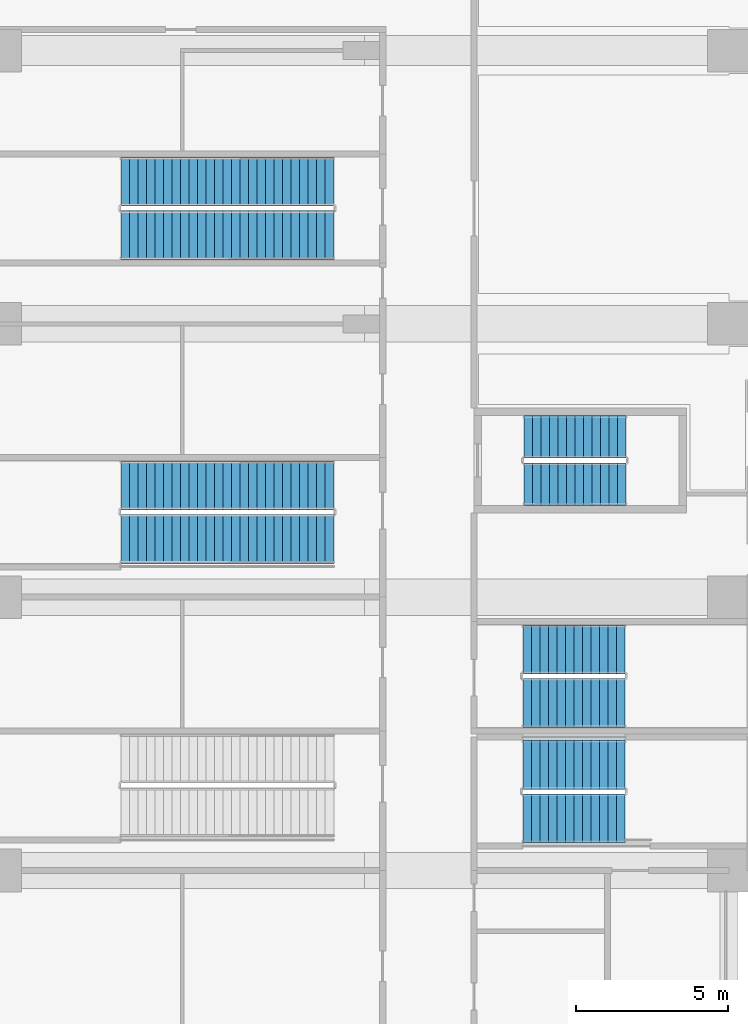
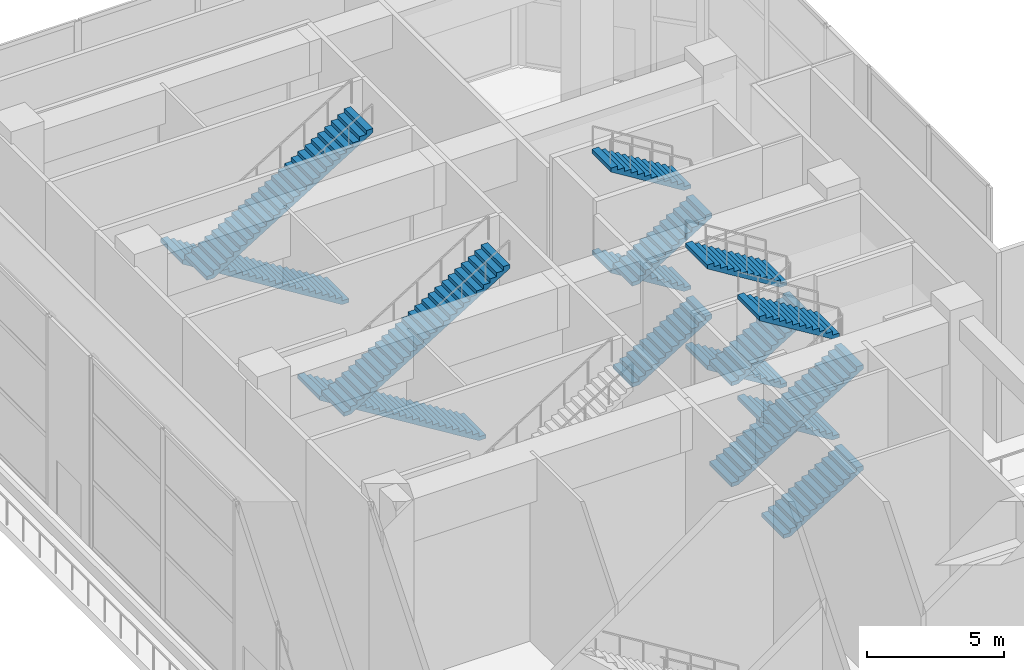
# One storey, part 20 of 28: 16 stair flights, 5 elements without a shape of their own.
"""IFC4 building model written with IfcOpenShell, lengths in metres."""

from ifc_helpers import new_model, si_unit, direction, frame, origin, place, context, subcontext, project, spatial, polyline, outline, extrude, material, type_object, element, aggregate, save


model = new_model("IFC4")

# Units and contexts
model_context = context("Model", 3, precision=1e-05, world=origin(), true_north=direction((0.0, 1.0)))
body_context = subcontext(model_context, "Body", "Model", "MODEL_VIEW")
ifc_project = project(units=[si_unit("LENGTHUNIT", "METRE"), si_unit("AREAUNIT", "SQUARE_METRE"), si_unit("VOLUMEUNIT", "CUBIC_METRE"), si_unit("PLANEANGLEUNIT", "RADIAN"), si_unit("MASSUNIT", "GRAM", prefix="KILO")], contexts=[model_context])

# Site, building, storey
site_placement = place(None, origin())
site = spatial("IfcSite", under=ifc_project, at=site_placement, CompositionType="ELEMENT")
building_placement = place(site_placement, origin())
building = spatial("IfcBuilding", under=site, at=building_placement, Name="Chenar Terraces", CompositionType="ELEMENT")
storey_placement = place(building_placement, frame((0.0, 0.0, 26.39990234375)))
storey = spatial("IfcBuildingStorey", under=building, at=storey_placement, Name="L05", CompositionType="ELEMENT", Elevation=26.39990234375)

# Stair, stair flights
ifc_material_1 = material(Name="Reinforced concrete C40/50", Category="concrete")
stair_type = type_object("IfcStairType", Name="Core stair 1400 half-turn", PredefinedType="HALF_TURN_STAIR", material=ifc_material_1)
placement = place(storey_placement, origin())
stair_1 = element("IfcStair", 1, at=placement, inside=storey, type_object=stair_type, Name="L05 Stair 4", PredefinedType="HALF_TURN_STAIR")
ifc_material_2 = material(Name="Reinforced concrete C40/50", Category="concrete")
stair_flight_type = type_object("IfcStairFlightType", Name="Core stair flight 1400", PredefinedType="STRAIGHT", material=ifc_material_2)
stair_flight_1_placement = place(storey_placement, frame((17.25, 48.72509765625, 0.0), z_axis=(0.0, 0.0, 1.0), x_axis=(1.0, 0.0, 0.0)))
stair_flight_1 = element("IfcStairFlight", 2, at=stair_flight_1_placement, type_object=stair_flight_type, Name="ST4 flight 1", NumberOfRisers=13, NumberOfTreads=12, PredefinedType="STRAIGHT", RiserHeight=0.173076923, TreadLength=0.28, context=body_context, shape_type="SweptSolid", body=[
    extrude(outline(polyline([(-0.0029296875, 0.0), (-0.0029296875, 0.173095703125), (0.0, 0.173095703125), (0.280029296875, 0.173095703125), (0.280029296875, 0.34619140625), (0.56005859375, 0.34619140625), (0.56005859375, 0.519287109375), (0.840087890625, 0.519287109375), (0.840087890625, 0.6923828125), (1.1201171875, 0.6923828125), (1.1201171875, 0.865478515625), (1.39990234375, 0.865478515625), (1.39990234375, 1.03857421875), (1.679931640625, 1.03857421875), (1.679931640625, 1.21142578125), (1.9599609375, 1.21142578125), (1.9599609375, 1.384521484375), (2.239990234375, 1.384521484375), (2.239990234375, 1.5576171875), (2.52001953125, 1.5576171875), (2.52001953125, 1.730712890625), (2.800048828125, 1.730712890625), (2.800048828125, 1.90380859375), (3.080078125, 1.90380859375), (3.080078125, 2.076904296875), (3.360107421875, 2.076904296875), (3.363037109375, 2.076904296875), (3.363037109375, 1.900634765625), (3.360107421875, 1.900634765625), (0.28515625, 0.0), (-0.0029296875, 0.0)])), frame((0.0, 0.699951171875, 0.0), z_axis=(0.0, -1.0, 0.0), x_axis=(1.0, 0.0, 0.0)), (0.0, 0.0, 1.0), 1.39990234375),
])
stair_flight_2_placement = place(storey_placement, frame((20.610107421875, 50.27490234375, 2.25), z_axis=(0.0, 0.0, 1.0), x_axis=(-1.0, 0.0, 0.0)))
stair_flight_2 = element("IfcStairFlight", 3, at=stair_flight_2_placement, type_object=stair_flight_type, Name="ST4 flight 2", NumberOfRisers=13, NumberOfTreads=12, PredefinedType="STRAIGHT", RiserHeight=0.173076923, TreadLength=0.28, context=body_context, shape_type="SweptSolid", body=[
    extrude(outline(polyline([(-0.0029296875, 0.0), (-0.0029296875, 0.173095703125), (0.0, 0.173095703125), (0.280029296875, 0.173095703125), (0.280029296875, 0.34619140625), (0.56005859375, 0.34619140625), (0.56005859375, 0.519287109375), (0.840087890625, 0.519287109375), (0.840087890625, 0.6923828125), (1.1201171875, 0.6923828125), (1.1201171875, 0.865478515625), (1.39990234375, 0.865478515625), (1.39990234375, 1.03857421875), (1.679931640625, 1.03857421875), (1.679931640625, 1.21142578125), (1.9599609375, 1.21142578125), (1.9599609375, 1.384521484375), (2.239990234375, 1.384521484375), (2.239990234375, 1.5576171875), (2.52001953125, 1.5576171875), (2.52001953125, 1.730712890625), (2.800048828125, 1.730712890625), (2.800048828125, 1.90380859375), (3.080078125, 1.90380859375), (3.080078125, 2.076904296875), (3.360107421875, 2.076904296875), (3.363037109375, 2.076904296875), (3.363037109375, 1.900634765625), (3.360107421875, 1.900634765625), (0.28515625, 0.0), (-0.0029296875, 0.0)])), frame((0.0, 0.699951171875, 0.0), z_axis=(0.0, -1.0, 0.0), x_axis=(1.0, 0.0, 0.0)), (0.0, 0.0, 1.0), 1.39990234375),
])
stair_flight_3_placement = place(storey_placement, frame((17.25, 48.72509765625, 4.5), z_axis=(0.0, 0.0, 1.0), x_axis=(1.0, 0.0, 0.0)))
stair_flight_3 = element("IfcStairFlight", 4, at=stair_flight_3_placement, type_object=stair_flight_type, Name="ST4 flight 3", NumberOfRisers=13, NumberOfTreads=12, PredefinedType="STRAIGHT", RiserHeight=0.173076923, TreadLength=0.28, context=body_context, shape_type="SweptSolid", body=[
    extrude(outline(polyline([(-0.0029296875, 0.0), (-0.0029296875, 0.173095703125), (0.0, 0.173095703125), (0.280029296875, 0.173095703125), (0.280029296875, 0.34619140625), (0.56005859375, 0.34619140625), (0.56005859375, 0.519287109375), (0.840087890625, 0.519287109375), (0.840087890625, 0.6923828125), (1.1201171875, 0.6923828125), (1.1201171875, 0.865478515625), (1.39990234375, 0.865478515625), (1.39990234375, 1.03857421875), (1.679931640625, 1.03857421875), (1.679931640625, 1.21142578125), (1.9599609375, 1.21142578125), (1.9599609375, 1.384521484375), (2.239990234375, 1.384521484375), (2.239990234375, 1.5576171875), (2.52001953125, 1.5576171875), (2.52001953125, 1.730712890625), (2.800048828125, 1.730712890625), (2.800048828125, 1.90380859375), (3.080078125, 1.90380859375), (3.080078125, 2.076904296875), (3.360107421875, 2.076904296875), (3.363037109375, 2.076904296875), (3.363037109375, 1.900634765625), (3.360107421875, 1.900634765625), (0.28515625, 0.0), (-0.0029296875, 0.0)])), frame((0.0, 0.699951171875, 0.0), z_axis=(0.0, -1.0, 0.0), x_axis=(1.0, 0.0, 0.0)), (0.0, 0.0, 1.0), 1.39990234375),
])
stair_flight_4_placement = place(storey_placement, frame((20.610107421875, 50.27490234375, 6.75), z_axis=(0.0, 0.0, 1.0), x_axis=(-1.0, 0.0, 0.0)))
stair_flight_4 = element("IfcStairFlight", 5, at=stair_flight_4_placement, type_object=stair_flight_type, Name="ST4 flight 4", NumberOfRisers=13, NumberOfTreads=12, PredefinedType="STRAIGHT", RiserHeight=0.173076923, TreadLength=0.28, context=body_context, shape_type="SweptSolid", body=[
    extrude(outline(polyline([(-0.0029296875, 0.0), (-0.0029296875, 0.173095703125), (0.0, 0.173095703125), (0.280029296875, 0.173095703125), (0.280029296875, 0.34619140625), (0.56005859375, 0.34619140625), (0.56005859375, 0.519287109375), (0.840087890625, 0.519287109375), (0.840087890625, 0.6923828125), (1.1201171875, 0.6923828125), (1.1201171875, 0.865478515625), (1.39990234375, 0.865478515625), (1.39990234375, 1.03857421875), (1.679931640625, 1.03857421875), (1.679931640625, 1.21142578125), (1.9599609375, 1.21142578125), (1.9599609375, 1.384521484375), (2.239990234375, 1.384521484375), (2.239990234375, 1.5576171875), (2.52001953125, 1.5576171875), (2.52001953125, 1.730712890625), (2.800048828125, 1.730712890625), (2.800048828125, 1.90380859375), (3.080078125, 1.90380859375), (3.080078125, 2.076904296875), (3.360107421875, 2.076904296875), (3.363037109375, 2.076904296875), (3.363037109375, 1.900634765625), (3.360107421875, 1.900634765625), (0.28515625, 0.0), (-0.0029296875, 0.0)])), frame((0.0, 0.699951171875, 0.0), z_axis=(0.0, -1.0, 0.0), x_axis=(1.0, 0.0, 0.0)), (0.0, 0.0, 1.0), 1.39990234375),
])
aggregate(stair_1, [stair_flight_1, stair_flight_2, stair_flight_3, stair_flight_4])

stair_2 = element("IfcStair", 6, at=placement, inside=storey, type_object=stair_type, Name="L05 Exit stair PS3", PredefinedType="HALF_TURN_STAIR")
stair_flight_5_placement = place(storey_placement, frame((10.985107421875, 58.6826171875, 0.0), z_axis=(0.0, 0.0, 1.0), x_axis=(-1.0, 0.0, 0.0)))
stair_flight_5 = element("IfcStairFlight", 7, at=stair_flight_5_placement, type_object=stair_flight_type, Name="PS3 flight 1", NumberOfRisers=26, NumberOfTreads=25, PredefinedType="STRAIGHT", RiserHeight=0.173076923, TreadLength=0.28, context=body_context, shape_type="SweptSolid", body=[
    extrude(outline(polyline([(-0.0029296875, 0.0), (-0.0029296875, 0.173095703125), (0.0, 0.173095703125), (0.280029296875, 0.173095703125), (0.280029296875, 0.34619140625), (0.56005859375, 0.34619140625), (0.56005859375, 0.519287109375), (0.840087890625, 0.519287109375), (0.840087890625, 0.6923828125), (1.1201171875, 0.6923828125), (1.1201171875, 0.865478515625), (1.39990234375, 0.865478515625), (1.39990234375, 1.03857421875), (1.679931640625, 1.03857421875), (1.679931640625, 1.21142578125), (1.9599609375, 1.21142578125), (1.9599609375, 1.384521484375), (2.239990234375, 1.384521484375), (2.239990234375, 1.5576171875), (2.52001953125, 1.5576171875), (2.52001953125, 1.730712890625), (2.800048828125, 1.730712890625), (2.800048828125, 1.90380859375), (3.080078125, 1.90380859375), (3.080078125, 2.076904296875), (3.360107421875, 2.076904296875), (3.360107421875, 2.25), (3.639892578125, 2.25), (3.639892578125, 2.423095703125), (3.919921875, 2.423095703125), (3.919921875, 2.59619140625), (4.199951171875, 2.59619140625), (4.199951171875, 2.769287109375), (4.47998046875, 2.769287109375), (4.47998046875, 2.9423828125), (4.760009765625, 2.9423828125), (4.760009765625, 3.115478515625), (5.0400390625, 3.115478515625), (5.0400390625, 3.28857421875), (5.320068359375, 3.28857421875), (5.320068359375, 3.46142578125), (5.60009765625, 3.46142578125), (5.60009765625, 3.634521484375), (5.8798828125, 3.634521484375), (5.8798828125, 3.8076171875), (6.159912109375, 3.8076171875), (6.159912109375, 3.980712890625), (6.43994140625, 3.980712890625), (6.43994140625, 4.15380859375), (6.719970703125, 4.15380859375), (6.719970703125, 4.326904296875), (7.0, 4.326904296875), (7.0029296875, 4.326904296875), (7.0029296875, 4.150634765625), (7.0, 4.150634765625), (0.28515625, 0.0), (-0.0029296875, 0.0)])), frame((0.0, 0.8076171875, 0.0), z_axis=(0.0, -1.0, 0.0), x_axis=(1.0, 0.0, 0.0)), (0.0, 0.0, 1.0), 1.614990234375),
])
stair_flight_6_placement = place(storey_placement, frame((3.985107421875, 56.91748046875, 4.5), z_axis=(0.0, 0.0, 1.0), x_axis=(1.0, 0.0, 0.0)))
stair_flight_6 = element("IfcStairFlight", 8, at=stair_flight_6_placement, type_object=stair_flight_type, Name="PS3 flight 2", NumberOfRisers=26, NumberOfTreads=25, PredefinedType="STRAIGHT", RiserHeight=0.173076923, TreadLength=0.28, context=body_context, shape_type="SweptSolid", body=[
    extrude(outline(polyline([(-0.0029296875, 0.0), (-0.0029296875, 0.173095703125), (0.0, 0.173095703125), (0.280029296875, 0.173095703125), (0.280029296875, 0.34619140625), (0.56005859375, 0.34619140625), (0.56005859375, 0.519287109375), (0.840087890625, 0.519287109375), (0.840087890625, 0.6923828125), (1.1201171875, 0.6923828125), (1.1201171875, 0.865478515625), (1.39990234375, 0.865478515625), (1.39990234375, 1.03857421875), (1.679931640625, 1.03857421875), (1.679931640625, 1.21142578125), (1.9599609375, 1.21142578125), (1.9599609375, 1.384521484375), (2.239990234375, 1.384521484375), (2.239990234375, 1.5576171875), (2.52001953125, 1.5576171875), (2.52001953125, 1.730712890625), (2.800048828125, 1.730712890625), (2.800048828125, 1.90380859375), (3.080078125, 1.90380859375), (3.080078125, 2.076904296875), (3.360107421875, 2.076904296875), (3.360107421875, 2.25), (3.639892578125, 2.25), (3.639892578125, 2.423095703125), (3.919921875, 2.423095703125), (3.919921875, 2.59619140625), (4.199951171875, 2.59619140625), (4.199951171875, 2.769287109375), (4.47998046875, 2.769287109375), (4.47998046875, 2.9423828125), (4.760009765625, 2.9423828125), (4.760009765625, 3.115478515625), (5.0400390625, 3.115478515625), (5.0400390625, 3.28857421875), (5.320068359375, 3.28857421875), (5.320068359375, 3.46142578125), (5.60009765625, 3.46142578125), (5.60009765625, 3.634521484375), (5.8798828125, 3.634521484375), (5.8798828125, 3.8076171875), (6.159912109375, 3.8076171875), (6.159912109375, 3.980712890625), (6.43994140625, 3.980712890625), (6.43994140625, 4.15380859375), (6.719970703125, 4.15380859375), (6.719970703125, 4.326904296875), (7.0, 4.326904296875), (7.0029296875, 4.326904296875), (7.0029296875, 4.150634765625), (7.0, 4.150634765625), (0.28515625, 0.0), (-0.0029296875, 0.0)])), frame((0.0, 0.8076171875, 0.0), z_axis=(0.0, -1.0, 0.0), x_axis=(1.0, 0.0, 0.0)), (0.0, 0.0, 1.0), 1.614990234375),
])
aggregate(stair_2, [stair_flight_5, stair_flight_6])

stair_3 = element("IfcStair", 9, at=placement, inside=storey, type_object=stair_type, Name="L05 Exit stair PS4", PredefinedType="HALF_TURN_STAIR")
stair_flight_7_placement = place(storey_placement, frame((10.985107421875, 48.6826171875, 0.0), z_axis=(0.0, 0.0, 1.0), x_axis=(-1.0, 0.0, 0.0)))
stair_flight_7 = element("IfcStairFlight", 10, at=stair_flight_7_placement, type_object=stair_flight_type, Name="PS4 flight 1", NumberOfRisers=26, NumberOfTreads=25, PredefinedType="STRAIGHT", RiserHeight=0.173076923, TreadLength=0.28, context=body_context, shape_type="SweptSolid", body=[
    extrude(outline(polyline([(-0.0029296875, 0.0), (-0.0029296875, 0.173095703125), (0.0, 0.173095703125), (0.280029296875, 0.173095703125), (0.280029296875, 0.34619140625), (0.56005859375, 0.34619140625), (0.56005859375, 0.519287109375), (0.840087890625, 0.519287109375), (0.840087890625, 0.6923828125), (1.1201171875, 0.6923828125), (1.1201171875, 0.865478515625), (1.39990234375, 0.865478515625), (1.39990234375, 1.03857421875), (1.679931640625, 1.03857421875), (1.679931640625, 1.21142578125), (1.9599609375, 1.21142578125), (1.9599609375, 1.384521484375), (2.239990234375, 1.384521484375), (2.239990234375, 1.5576171875), (2.52001953125, 1.5576171875), (2.52001953125, 1.730712890625), (2.800048828125, 1.730712890625), (2.800048828125, 1.90380859375), (3.080078125, 1.90380859375), (3.080078125, 2.076904296875), (3.360107421875, 2.076904296875), (3.360107421875, 2.25), (3.639892578125, 2.25), (3.639892578125, 2.423095703125), (3.919921875, 2.423095703125), (3.919921875, 2.59619140625), (4.199951171875, 2.59619140625), (4.199951171875, 2.769287109375), (4.47998046875, 2.769287109375), (4.47998046875, 2.9423828125), (4.760009765625, 2.9423828125), (4.760009765625, 3.115478515625), (5.0400390625, 3.115478515625), (5.0400390625, 3.28857421875), (5.320068359375, 3.28857421875), (5.320068359375, 3.46142578125), (5.60009765625, 3.46142578125), (5.60009765625, 3.634521484375), (5.8798828125, 3.634521484375), (5.8798828125, 3.8076171875), (6.159912109375, 3.8076171875), (6.159912109375, 3.980712890625), (6.43994140625, 3.980712890625), (6.43994140625, 4.15380859375), (6.719970703125, 4.15380859375), (6.719970703125, 4.326904296875), (7.0, 4.326904296875), (7.0029296875, 4.326904296875), (7.0029296875, 4.150634765625), (7.0, 4.150634765625), (0.28515625, 0.0), (-0.0029296875, 0.0)])), frame((0.0, 0.8076171875, 0.0), z_axis=(0.0, -1.0, 0.0), x_axis=(1.0, 0.0, 0.0)), (0.0, 0.0, 1.0), 1.614990234375),
])
stair_flight_8_placement = place(storey_placement, frame((3.985107421875, 46.91748046875, 4.5), z_axis=(0.0, 0.0, 1.0), x_axis=(1.0, 0.0, 0.0)))
stair_flight_8 = element("IfcStairFlight", 11, at=stair_flight_8_placement, type_object=stair_flight_type, Name="PS4 flight 2", NumberOfRisers=26, NumberOfTreads=25, PredefinedType="STRAIGHT", RiserHeight=0.173076923, TreadLength=0.28, context=body_context, shape_type="SweptSolid", body=[
    extrude(outline(polyline([(-0.0029296875, 0.0), (-0.0029296875, 0.173095703125), (0.0, 0.173095703125), (0.280029296875, 0.173095703125), (0.280029296875, 0.34619140625), (0.56005859375, 0.34619140625), (0.56005859375, 0.519287109375), (0.840087890625, 0.519287109375), (0.840087890625, 0.6923828125), (1.1201171875, 0.6923828125), (1.1201171875, 0.865478515625), (1.39990234375, 0.865478515625), (1.39990234375, 1.03857421875), (1.679931640625, 1.03857421875), (1.679931640625, 1.21142578125), (1.9599609375, 1.21142578125), (1.9599609375, 1.384521484375), (2.239990234375, 1.384521484375), (2.239990234375, 1.5576171875), (2.52001953125, 1.5576171875), (2.52001953125, 1.730712890625), (2.800048828125, 1.730712890625), (2.800048828125, 1.90380859375), (3.080078125, 1.90380859375), (3.080078125, 2.076904296875), (3.360107421875, 2.076904296875), (3.360107421875, 2.25), (3.639892578125, 2.25), (3.639892578125, 2.423095703125), (3.919921875, 2.423095703125), (3.919921875, 2.59619140625), (4.199951171875, 2.59619140625), (4.199951171875, 2.769287109375), (4.47998046875, 2.769287109375), (4.47998046875, 2.9423828125), (4.760009765625, 2.9423828125), (4.760009765625, 3.115478515625), (5.0400390625, 3.115478515625), (5.0400390625, 3.28857421875), (5.320068359375, 3.28857421875), (5.320068359375, 3.46142578125), (5.60009765625, 3.46142578125), (5.60009765625, 3.634521484375), (5.8798828125, 3.634521484375), (5.8798828125, 3.8076171875), (6.159912109375, 3.8076171875), (6.159912109375, 3.980712890625), (6.43994140625, 3.980712890625), (6.43994140625, 4.15380859375), (6.719970703125, 4.15380859375), (6.719970703125, 4.326904296875), (7.0, 4.326904296875), (7.0029296875, 4.326904296875), (7.0029296875, 4.150634765625), (7.0, 4.150634765625), (0.28515625, 0.0), (-0.0029296875, 0.0)])), frame((0.0, 0.8076171875, 0.0), z_axis=(0.0, -1.0, 0.0), x_axis=(1.0, 0.0, 0.0)), (0.0, 0.0, 1.0), 1.614990234375),
])
aggregate(stair_3, [stair_flight_7, stair_flight_8])

stair_4 = element("IfcStair", 12, at=placement, inside=storey, type_object=stair_type, Name="L05 Exit stair PS7", PredefinedType="HALF_TURN_STAIR")
stair_flight_9_placement = place(storey_placement, frame((17.215087890625, 37.717529296875, 0.0), z_axis=(0.0, 0.0, 1.0), x_axis=(1.0, 0.0, 0.0)))
stair_flight_9 = element("IfcStairFlight", 13, at=stair_flight_9_placement, type_object=stair_flight_type, Name="PS7 flight 1", NumberOfRisers=13, NumberOfTreads=12, PredefinedType="STRAIGHT", RiserHeight=0.173076923, TreadLength=0.28, context=body_context, shape_type="SweptSolid", body=[
    extrude(outline(polyline([(-0.0029296875, 0.0), (-0.0029296875, 0.173095703125), (0.0, 0.173095703125), (0.280029296875, 0.173095703125), (0.280029296875, 0.34619140625), (0.56005859375, 0.34619140625), (0.56005859375, 0.519287109375), (0.840087890625, 0.519287109375), (0.840087890625, 0.6923828125), (1.1201171875, 0.6923828125), (1.1201171875, 0.865478515625), (1.39990234375, 0.865478515625), (1.39990234375, 1.03857421875), (1.679931640625, 1.03857421875), (1.679931640625, 1.21142578125), (1.9599609375, 1.21142578125), (1.9599609375, 1.384521484375), (2.239990234375, 1.384521484375), (2.239990234375, 1.5576171875), (2.52001953125, 1.5576171875), (2.52001953125, 1.730712890625), (2.800048828125, 1.730712890625), (2.800048828125, 1.90380859375), (3.080078125, 1.90380859375), (3.080078125, 2.076904296875), (3.360107421875, 2.076904296875), (3.363037109375, 2.076904296875), (3.363037109375, 1.900634765625), (3.360107421875, 1.900634765625), (0.28515625, 0.0), (-0.0029296875, 0.0)])), frame((0.0, 0.8076171875, 0.0), z_axis=(0.0, -1.0, 0.0), x_axis=(1.0, 0.0, 0.0)), (0.0, 0.0, 1.0), 1.614990234375),
])
stair_flight_10_placement = place(storey_placement, frame((20.574951171875, 39.482421875, 2.25), z_axis=(0.0, 0.0, 1.0), x_axis=(-1.0, 0.0, 0.0)))
stair_flight_10 = element("IfcStairFlight", 14, at=stair_flight_10_placement, type_object=stair_flight_type, Name="PS7 flight 2", NumberOfRisers=13, NumberOfTreads=12, PredefinedType="STRAIGHT", RiserHeight=0.173076923, TreadLength=0.28, context=body_context, shape_type="SweptSolid", body=[
    extrude(outline(polyline([(-0.0029296875, 0.0), (-0.0029296875, 0.173095703125), (0.0, 0.173095703125), (0.280029296875, 0.173095703125), (0.280029296875, 0.34619140625), (0.56005859375, 0.34619140625), (0.56005859375, 0.519287109375), (0.840087890625, 0.519287109375), (0.840087890625, 0.6923828125), (1.1201171875, 0.6923828125), (1.1201171875, 0.865478515625), (1.39990234375, 0.865478515625), (1.39990234375, 1.03857421875), (1.679931640625, 1.03857421875), (1.679931640625, 1.21142578125), (1.9599609375, 1.21142578125), (1.9599609375, 1.384521484375), (2.239990234375, 1.384521484375), (2.239990234375, 1.5576171875), (2.52001953125, 1.5576171875), (2.52001953125, 1.730712890625), (2.800048828125, 1.730712890625), (2.800048828125, 1.90380859375), (3.080078125, 1.90380859375), (3.080078125, 2.076904296875), (3.360107421875, 2.076904296875), (3.363037109375, 2.076904296875), (3.363037109375, 1.900634765625), (3.360107421875, 1.900634765625), (0.28515625, 0.0), (-0.0029296875, 0.0)])), frame((0.0, 0.8076171875, 0.0), z_axis=(0.0, -1.0, 0.0), x_axis=(1.0, 0.0, 0.0)), (0.0, 0.0, 1.0), 1.614990234375),
])
stair_flight_11_placement = place(storey_placement, frame((17.215087890625, 37.717529296875, 4.5), z_axis=(0.0, 0.0, 1.0), x_axis=(1.0, 0.0, 0.0)))
stair_flight_11 = element("IfcStairFlight", 15, at=stair_flight_11_placement, type_object=stair_flight_type, Name="PS7 flight 3", NumberOfRisers=13, NumberOfTreads=12, PredefinedType="STRAIGHT", RiserHeight=0.173076923, TreadLength=0.28, context=body_context, shape_type="SweptSolid", body=[
    extrude(outline(polyline([(-0.0029296875, 0.0), (-0.0029296875, 0.173095703125), (0.0, 0.173095703125), (0.280029296875, 0.173095703125), (0.280029296875, 0.34619140625), (0.56005859375, 0.34619140625), (0.56005859375, 0.519287109375), (0.840087890625, 0.519287109375), (0.840087890625, 0.6923828125), (1.1201171875, 0.6923828125), (1.1201171875, 0.865478515625), (1.39990234375, 0.865478515625), (1.39990234375, 1.03857421875), (1.679931640625, 1.03857421875), (1.679931640625, 1.21142578125), (1.9599609375, 1.21142578125), (1.9599609375, 1.384521484375), (2.239990234375, 1.384521484375), (2.239990234375, 1.5576171875), (2.52001953125, 1.5576171875), (2.52001953125, 1.730712890625), (2.800048828125, 1.730712890625), (2.800048828125, 1.90380859375), (3.080078125, 1.90380859375), (3.080078125, 2.076904296875), (3.360107421875, 2.076904296875), (3.363037109375, 2.076904296875), (3.363037109375, 1.900634765625), (3.360107421875, 1.900634765625), (0.28515625, 0.0), (-0.0029296875, 0.0)])), frame((0.0, 0.8076171875, 0.0), z_axis=(0.0, -1.0, 0.0), x_axis=(1.0, 0.0, 0.0)), (0.0, 0.0, 1.0), 1.614990234375),
])
stair_flight_12_placement = place(storey_placement, frame((20.574951171875, 39.482421875, 6.75), z_axis=(0.0, 0.0, 1.0), x_axis=(-1.0, 0.0, 0.0)))
stair_flight_12 = element("IfcStairFlight", 16, at=stair_flight_12_placement, type_object=stair_flight_type, Name="PS7 flight 4", NumberOfRisers=13, NumberOfTreads=12, PredefinedType="STRAIGHT", RiserHeight=0.173076923, TreadLength=0.28, context=body_context, shape_type="SweptSolid", body=[
    extrude(outline(polyline([(-0.0029296875, 0.0), (-0.0029296875, 0.173095703125), (0.0, 0.173095703125), (0.280029296875, 0.173095703125), (0.280029296875, 0.34619140625), (0.56005859375, 0.34619140625), (0.56005859375, 0.519287109375), (0.840087890625, 0.519287109375), (0.840087890625, 0.6923828125), (1.1201171875, 0.6923828125), (1.1201171875, 0.865478515625), (1.39990234375, 0.865478515625), (1.39990234375, 1.03857421875), (1.679931640625, 1.03857421875), (1.679931640625, 1.21142578125), (1.9599609375, 1.21142578125), (1.9599609375, 1.384521484375), (2.239990234375, 1.384521484375), (2.239990234375, 1.5576171875), (2.52001953125, 1.5576171875), (2.52001953125, 1.730712890625), (2.800048828125, 1.730712890625), (2.800048828125, 1.90380859375), (3.080078125, 1.90380859375), (3.080078125, 2.076904296875), (3.360107421875, 2.076904296875), (3.363037109375, 2.076904296875), (3.363037109375, 1.900634765625), (3.360107421875, 1.900634765625), (0.28515625, 0.0), (-0.0029296875, 0.0)])), frame((0.0, 0.8076171875, 0.0), z_axis=(0.0, -1.0, 0.0), x_axis=(1.0, 0.0, 0.0)), (0.0, 0.0, 1.0), 1.614990234375),
])
aggregate(stair_4, [stair_flight_9, stair_flight_10, stair_flight_11, stair_flight_12])

stair_5 = element("IfcStair", 17, at=placement, inside=storey, type_object=stair_type, Name="L05 Exit stair PS8", PredefinedType="HALF_TURN_STAIR")
stair_flight_13_placement = place(storey_placement, frame((17.215087890625, 41.517578125, 0.0), z_axis=(0.0, 0.0, 1.0), x_axis=(1.0, 0.0, 0.0)))
stair_flight_13 = element("IfcStairFlight", 18, at=stair_flight_13_placement, type_object=stair_flight_type, Name="PS8 flight 1", NumberOfRisers=13, NumberOfTreads=12, PredefinedType="STRAIGHT", RiserHeight=0.173076923, TreadLength=0.28, context=body_context, shape_type="SweptSolid", body=[
    extrude(outline(polyline([(-0.0029296875, 0.0), (-0.0029296875, 0.173095703125), (0.0, 0.173095703125), (0.280029296875, 0.173095703125), (0.280029296875, 0.34619140625), (0.56005859375, 0.34619140625), (0.56005859375, 0.519287109375), (0.840087890625, 0.519287109375), (0.840087890625, 0.6923828125), (1.1201171875, 0.6923828125), (1.1201171875, 0.865478515625), (1.39990234375, 0.865478515625), (1.39990234375, 1.03857421875), (1.679931640625, 1.03857421875), (1.679931640625, 1.21142578125), (1.9599609375, 1.21142578125), (1.9599609375, 1.384521484375), (2.239990234375, 1.384521484375), (2.239990234375, 1.5576171875), (2.52001953125, 1.5576171875), (2.52001953125, 1.730712890625), (2.800048828125, 1.730712890625), (2.800048828125, 1.90380859375), (3.080078125, 1.90380859375), (3.080078125, 2.076904296875), (3.360107421875, 2.076904296875), (3.363037109375, 2.076904296875), (3.363037109375, 1.900634765625), (3.360107421875, 1.900634765625), (0.28515625, 0.0), (-0.0029296875, 0.0)])), frame((0.0, 0.8076171875, 0.0), z_axis=(0.0, -1.0, 0.0), x_axis=(1.0, 0.0, 0.0)), (0.0, 0.0, 1.0), 1.614990234375),
])
stair_flight_14_placement = place(storey_placement, frame((20.574951171875, 43.282470703125, 2.25), z_axis=(0.0, 0.0, 1.0), x_axis=(-1.0, 0.0, 0.0)))
stair_flight_14 = element("IfcStairFlight", 19, at=stair_flight_14_placement, type_object=stair_flight_type, Name="PS8 flight 2", NumberOfRisers=13, NumberOfTreads=12, PredefinedType="STRAIGHT", RiserHeight=0.173076923, TreadLength=0.28, context=body_context, shape_type="SweptSolid", body=[
    extrude(outline(polyline([(-0.0029296875, 0.0), (-0.0029296875, 0.173095703125), (0.0, 0.173095703125), (0.280029296875, 0.173095703125), (0.280029296875, 0.34619140625), (0.56005859375, 0.34619140625), (0.56005859375, 0.519287109375), (0.840087890625, 0.519287109375), (0.840087890625, 0.6923828125), (1.1201171875, 0.6923828125), (1.1201171875, 0.865478515625), (1.39990234375, 0.865478515625), (1.39990234375, 1.03857421875), (1.679931640625, 1.03857421875), (1.679931640625, 1.21142578125), (1.9599609375, 1.21142578125), (1.9599609375, 1.384521484375), (2.239990234375, 1.384521484375), (2.239990234375, 1.5576171875), (2.52001953125, 1.5576171875), (2.52001953125, 1.730712890625), (2.800048828125, 1.730712890625), (2.800048828125, 1.90380859375), (3.080078125, 1.90380859375), (3.080078125, 2.076904296875), (3.360107421875, 2.076904296875), (3.363037109375, 2.076904296875), (3.363037109375, 1.900634765625), (3.360107421875, 1.900634765625), (0.28515625, 0.0), (-0.0029296875, 0.0)])), frame((0.0, 0.8076171875, 0.0), z_axis=(0.0, -1.0, 0.0), x_axis=(1.0, 0.0, 0.0)), (0.0, 0.0, 1.0), 1.614990234375),
])
stair_flight_15_placement = place(storey_placement, frame((17.215087890625, 41.517578125, 4.5), z_axis=(0.0, 0.0, 1.0), x_axis=(1.0, 0.0, 0.0)))
stair_flight_15 = element("IfcStairFlight", 20, at=stair_flight_15_placement, type_object=stair_flight_type, Name="PS8 flight 3", NumberOfRisers=13, NumberOfTreads=12, PredefinedType="STRAIGHT", RiserHeight=0.173076923, TreadLength=0.28, context=body_context, shape_type="SweptSolid", body=[
    extrude(outline(polyline([(-0.0029296875, 0.0), (-0.0029296875, 0.173095703125), (0.0, 0.173095703125), (0.280029296875, 0.173095703125), (0.280029296875, 0.34619140625), (0.56005859375, 0.34619140625), (0.56005859375, 0.519287109375), (0.840087890625, 0.519287109375), (0.840087890625, 0.6923828125), (1.1201171875, 0.6923828125), (1.1201171875, 0.865478515625), (1.39990234375, 0.865478515625), (1.39990234375, 1.03857421875), (1.679931640625, 1.03857421875), (1.679931640625, 1.21142578125), (1.9599609375, 1.21142578125), (1.9599609375, 1.384521484375), (2.239990234375, 1.384521484375), (2.239990234375, 1.5576171875), (2.52001953125, 1.5576171875), (2.52001953125, 1.730712890625), (2.800048828125, 1.730712890625), (2.800048828125, 1.90380859375), (3.080078125, 1.90380859375), (3.080078125, 2.076904296875), (3.360107421875, 2.076904296875), (3.363037109375, 2.076904296875), (3.363037109375, 1.900634765625), (3.360107421875, 1.900634765625), (0.28515625, 0.0), (-0.0029296875, 0.0)])), frame((0.0, 0.8076171875, 0.0), z_axis=(0.0, -1.0, 0.0), x_axis=(1.0, 0.0, 0.0)), (0.0, 0.0, 1.0), 1.614990234375),
])
stair_flight_16_placement = place(storey_placement, frame((20.574951171875, 43.282470703125, 6.75), z_axis=(0.0, 0.0, 1.0), x_axis=(-1.0, 0.0, 0.0)))
stair_flight_16 = element("IfcStairFlight", 21, at=stair_flight_16_placement, type_object=stair_flight_type, Name="PS8 flight 4", NumberOfRisers=13, NumberOfTreads=12, PredefinedType="STRAIGHT", RiserHeight=0.173076923, TreadLength=0.28, context=body_context, shape_type="SweptSolid", body=[
    extrude(outline(polyline([(-0.0029296875, 0.0), (-0.0029296875, 0.173095703125), (0.0, 0.173095703125), (0.280029296875, 0.173095703125), (0.280029296875, 0.34619140625), (0.56005859375, 0.34619140625), (0.56005859375, 0.519287109375), (0.840087890625, 0.519287109375), (0.840087890625, 0.6923828125), (1.1201171875, 0.6923828125), (1.1201171875, 0.865478515625), (1.39990234375, 0.865478515625), (1.39990234375, 1.03857421875), (1.679931640625, 1.03857421875), (1.679931640625, 1.21142578125), (1.9599609375, 1.21142578125), (1.9599609375, 1.384521484375), (2.239990234375, 1.384521484375), (2.239990234375, 1.5576171875), (2.52001953125, 1.5576171875), (2.52001953125, 1.730712890625), (2.800048828125, 1.730712890625), (2.800048828125, 1.90380859375), (3.080078125, 1.90380859375), (3.080078125, 2.076904296875), (3.360107421875, 2.076904296875), (3.363037109375, 2.076904296875), (3.363037109375, 1.900634765625), (3.360107421875, 1.900634765625), (0.28515625, 0.0), (-0.0029296875, 0.0)])), frame((0.0, 0.8076171875, 0.0), z_axis=(0.0, -1.0, 0.0), x_axis=(1.0, 0.0, 0.0)), (0.0, 0.0, 1.0), 1.614990234375),
])
aggregate(stair_5, [stair_flight_13, stair_flight_14, stair_flight_15, stair_flight_16])

save(model, "model.ifc")
